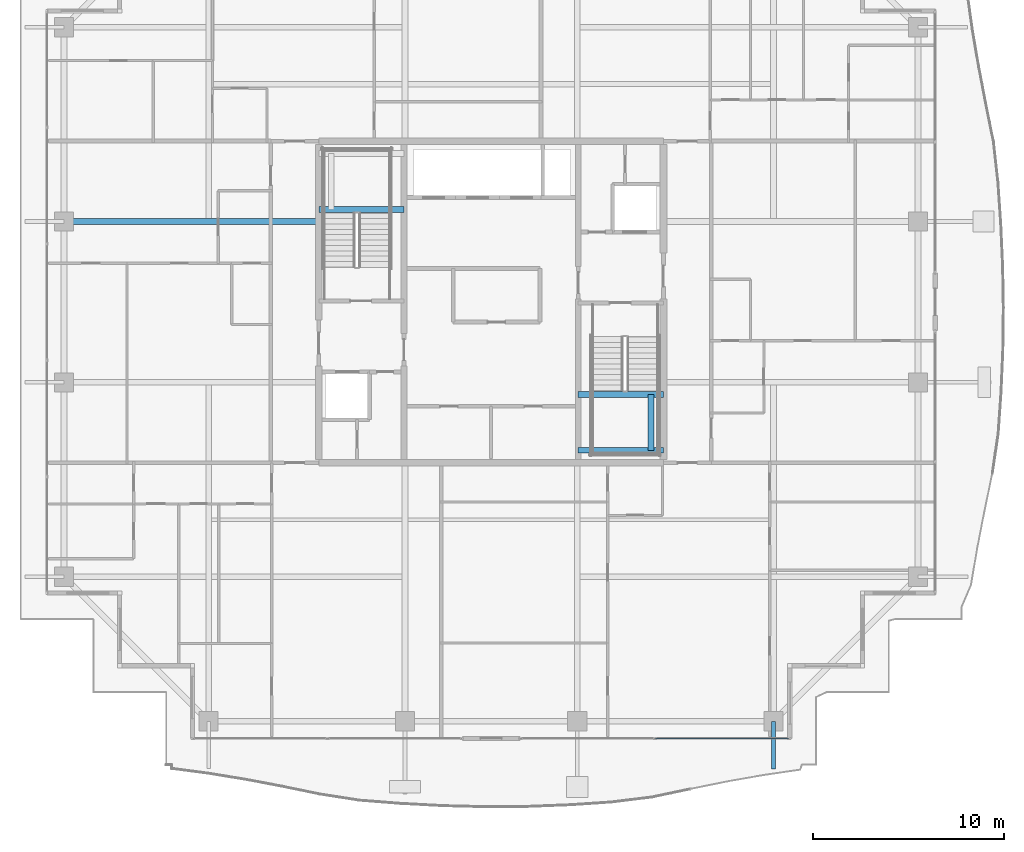
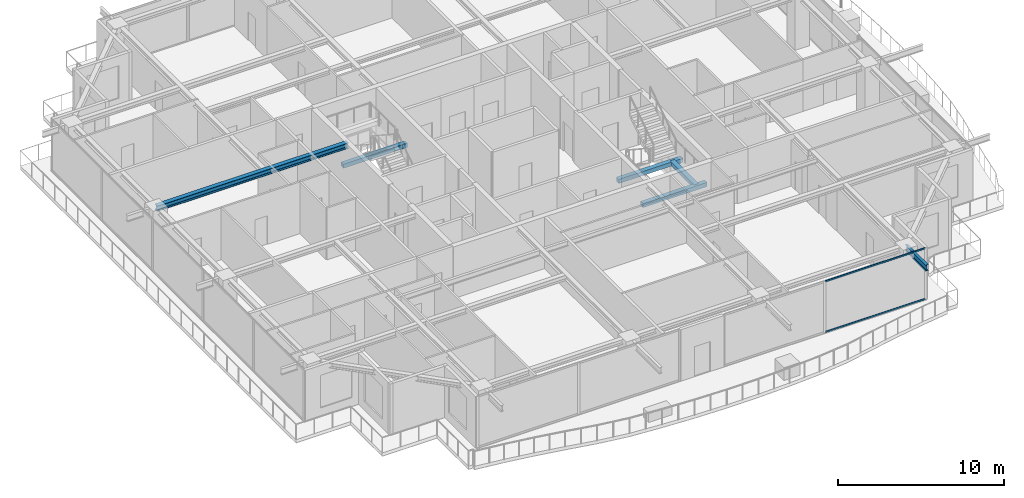
# One storey, part 11 of 42: 6 beams, 2 members, 1 element without a shape of its own.
"""IFC4 building model written with IfcOpenShell, lengths in metres."""

from ifc_helpers import new_model, si_unit, direction, frame, origin, origin_2d, place, context, subcontext, project, spatial, rectangle, hollow_rectangle, i_section, extrude, source, transform, mapped, material, layer, layer_set, material_profile, profile_set, type_object, element, aggregate, save


model = new_model("IFC4")

# Units and contexts
model_context = context("Model", 3, precision=1e-05, world=origin(), true_north=direction((0.0, 1.0)))
body_context = subcontext(model_context, "Body", "Model", "MODEL_VIEW")
ifc_project = project(units=[si_unit("LENGTHUNIT", "METRE"), si_unit("AREAUNIT", "SQUARE_METRE"), si_unit("VOLUMEUNIT", "CUBIC_METRE"), si_unit("PLANEANGLEUNIT", "RADIAN"), si_unit("MASSUNIT", "GRAM", prefix="KILO")], contexts=[model_context])

# Site, building, storey
site_placement = place(None, origin())
site = spatial("IfcSite", under=ifc_project, at=site_placement, CompositionType="ELEMENT")
building_placement = place(site_placement, origin())
building = spatial("IfcBuilding", under=site, at=building_placement, Name="Serunith Strait Residences", CompositionType="ELEMENT")
storey_placement = place(building_placement, frame((0.0, 0.0, 297.5)))
storey = spatial("IfcBuildingStorey", under=building, at=storey_placement, Name="L74", CompositionType="ELEMENT", Elevation=297.5)

# Beams
ifc_material_1 = material(Name="Steel S355J2", Category="steel")
ifc_material_profile_1 = material_profile(ifc_material_1, i_section(OverallWidth=0.300048828125, OverallDepth=0.39990234375, WebThickness=0.013427734375, FlangeThickness=0.02392578125, FilletRadius=0.027099609375, at=origin_2d()), Name="HEB 400")
ifc_profile_set_1 = profile_set([ifc_material_profile_1], Name="Steel S355J2")
beam_type_1 = type_object("IfcBeamType", Name="BM-HEB400", PredefinedType="BEAM", material=ifc_profile_set_1)
shared_shape_1 = source(origin(), body_context, "Body", "SweptSolid", [
    extrude(i_section(OverallWidth=0.300048828125, OverallDepth=0.39990234375, WebThickness=0.013427734375, FlangeThickness=0.02392578125, FilletRadius=0.027099609375, at=origin_2d()), origin(), (0.0, 0.0, 1.0), 13.2998046875),
])
beam_1_placement = place(storey_placement, frame((23.39990234375, 29.39990234375, 3.5869140625), z_axis=(-1.0, 0.0, 0.0), x_axis=(0.0, -1.0, 0.0)))
element("IfcBeam", 1, at=beam_1_placement, inside=storey, type_object=beam_type_1, Name="L74 Primary Floor Girder TC-W3", PredefinedType="BEAM", context=body_context, shape_type="MappedRepresentation", body=[
    mapped(shared_shape_1, transform((0.0, 0.0, 0.0), scale=1.0)),
])
ifc_material_profile_2 = material_profile(ifc_material_1, i_section(OverallWidth=0.18994140625, OverallDepth=0.449951171875, WebThickness=0.009521484375, FlangeThickness=0.0146484375, FilletRadius=0.02099609375, at=origin_2d()), Name="IPE 450")
ifc_profile_set_2 = profile_set([ifc_material_profile_2], Name="Steel S355J2")
beam_type_2 = type_object("IfcBeamType", Name="BM-IPE450", PredefinedType="JOIST", material=ifc_profile_set_2)
shared_shape_2 = source(origin(), body_context, "Body", "SweptSolid", [
    extrude(i_section(OverallWidth=0.18994140625, OverallDepth=0.449951171875, WebThickness=0.009521484375, FlangeThickness=0.0146484375, FilletRadius=0.02099609375, at=origin_2d()), origin(), (0.0, 0.0, 1.0), 2.490478515625),
])
beam_2_placement = place(storey_placement, frame((47.14990234375, 3.300048828125, 3.531982421875), z_axis=(0.0, -1.0, 0.0), x_axis=(1.0, 0.0, 0.0)))
element("IfcBeam", 2, at=beam_2_placement, inside=storey, type_object=beam_type_2, Name="L75 Cantilevered Balcony Rib TC-S4", PredefinedType="JOIST", context=body_context, shape_type="MappedRepresentation", body=[
    mapped(shared_shape_2, transform((0.0, 0.0, 0.0), scale=1.0)),
])
ifc_material_2 = material(Name="Concrete C60/75", Category="concrete")
ifc_material_profile_3 = material_profile(ifc_material_2, rectangle(XDim=0.300048828125, YDim=0.300048828125, at=origin_2d()), Name="RC 300x300")
ifc_profile_set_3 = profile_set([ifc_material_profile_3], Name="Concrete C60/75")
beam_type_3 = type_object("IfcBeamType", Name="BM-LAND-300x300", PredefinedType="BEAM", material=ifc_profile_set_3)
shared_shape_3 = source(origin(), body_context, "Body", "SweptSolid", [
    extrude(rectangle(XDim=0.300048828125, YDim=0.300048828125, at=origin_2d()), origin(), (0.0, 0.0, 1.0), 4.4501953125),
])
beam_3_placement = place(storey_placement, frame((23.39990234375, 30.030029296875, 1.675048828125), z_axis=(1.0, 0.0, 0.0), x_axis=(0.0, 1.0, 0.0)))
element("IfcBeam", 3, at=beam_3_placement, inside=storey, type_object=beam_type_3, Name="L74 ST-1 Landing Support Beam 1", PredefinedType="BEAM", context=body_context, shape_type="MappedRepresentation", body=[
    mapped(shared_shape_3, transform((0.0, 0.0, 0.0), scale=1.0)),
])
shared_shape_4 = source(origin(), body_context, "Body", "SweptSolid", [
    extrude(rectangle(XDim=0.300048828125, YDim=0.300048828125, at=origin_2d()), origin(), (0.0, 0.0, 1.0), 4.449951171875),
])
for number, where, z_axis, x_axis, name in (
    (4, (36.949951171875, 17.449951171875, 1.675048828125), (1.0, 0.0, 0.0), (0.0, 1.0, 0.0), "L74 ST-2 Landing Support Beam 1"),
    (5, (36.949951171875, 20.3701171875, 1.675048828125), (1.0, 0.0, 0.0), (0.0, 1.0, 0.0), "L74 ST-2 Landing Support Beam 2"),
):
    element("IfcBeam", number, at=place(storey_placement, frame(where, z_axis=z_axis, x_axis=x_axis)), inside=storey, type_object=beam_type_3, Name=name, PredefinedType="BEAM", context=body_context, shape_type="MappedRepresentation", body=[
        mapped(shared_shape_4, transform((0.0, 0.0, 0.0), scale=1.0)),
    ])
shared_shape_5 = source(origin(), body_context, "Body", "SweptSolid", [
    extrude(rectangle(XDim=0.300048828125, YDim=0.300048828125, at=origin_2d()), origin(), (0.0, 0.0, 1.0), 2.920166015625),
])
beam_4_placement = place(storey_placement, frame((40.75, 17.449951171875, 1.675048828125), z_axis=(0.0, 1.0, 0.0), x_axis=(-1.0, 0.0, 0.0)))
element("IfcBeam", 6, at=beam_4_placement, inside=storey, type_object=beam_type_3, Name="L74 ST-2 Landing Transverse Tie Beam", PredefinedType="BEAM", context=body_context, shape_type="MappedRepresentation", body=[
    mapped(shared_shape_5, transform((0.0, 0.0, 0.0), scale=1.0)),
])

# Curtain wall, members
ifc_material_3 = material(Name="Brushed Stainless-Silver Aluminium", Category="aluminium")
ifc_layer = layer(ifc_material_3, 0.199951171875, Name="Brushed Stainless-Silver Aluminium")
ifc_layer_set = layer_set([ifc_layer], Name="Brushed Stainless-Silver Aluminium")
curtain_wall_type = type_object("IfcCurtainWallType", Name="CW-SYS5", PredefinedType="NOTDEFINED", material=ifc_layer_set)
curtain_wall_placement = place(storey_placement, origin())
curtain_wall = element("IfcCurtainWall", 7, at=curtain_wall_placement, inside=storey, type_object=curtain_wall_type, Name="L74 S Unitised Fritted Curtain Wall", PredefinedType="NOTDEFINED")
ifc_material_profile_4 = material_profile(ifc_material_3, hollow_rectangle(XDim=0.06005859375, YDim=0.1201171875, WallThickness=0.00341796875, InnerFilletRadius=0.00537109375, OuterFilletRadius=0.0087890625, at=origin_2d()), Name="ALU 120x60x3.5")
ifc_profile_set_4 = profile_set([ifc_material_profile_4], Name="Brushed Stainless-Silver Aluminium")
member_type = type_object("IfcMemberType", Name="CW-SYS5-TRAN", PredefinedType="USERDEFINED", material=ifc_profile_set_4)
shared_shape_6 = source(origin(), body_context, "Body", "SweptSolid", [
    extrude(hollow_rectangle(XDim=0.06005859375, YDim=0.1201171875, WallThickness=0.00341796875, InnerFilletRadius=0.00537109375, OuterFilletRadius=0.0087890625, at=origin_2d()), origin(), (0.0, 0.0, 1.0), 6.95263671875),
])
member_1_placement = place(storey_placement, frame((40.982421875, 2.39990234375, 0.030029296875), z_axis=(1.0, 0.0, 0.0), x_axis=(0.0, 1.0, 0.0)))
member_1 = element("IfcMember", 8, at=member_1_placement, type_object=member_type, Name="CW-5 transom 2.1", ObjectType="TRANSOM", PredefinedType="USERDEFINED", context=body_context, shape_type="MappedRepresentation", body=[
    mapped(shared_shape_6, transform((0.0, 0.0, 0.0), scale=1.0)),
])
member_2_placement = place(storey_placement, frame((40.982421875, 2.39990234375, 3.7451171875), z_axis=(1.0, 0.0, 0.0), x_axis=(0.0, 1.0, 0.0)))
member_2 = element("IfcMember", 9, at=member_2_placement, type_object=member_type, Name="CW-5 transom 2.2", ObjectType="TRANSOM", PredefinedType="USERDEFINED", context=body_context, shape_type="MappedRepresentation", body=[
    mapped(shared_shape_6, transform((0.0, 0.0, 0.0), scale=1.0)),
])
aggregate(curtain_wall, [member_1, member_2])

save(model, "model.ifc")
